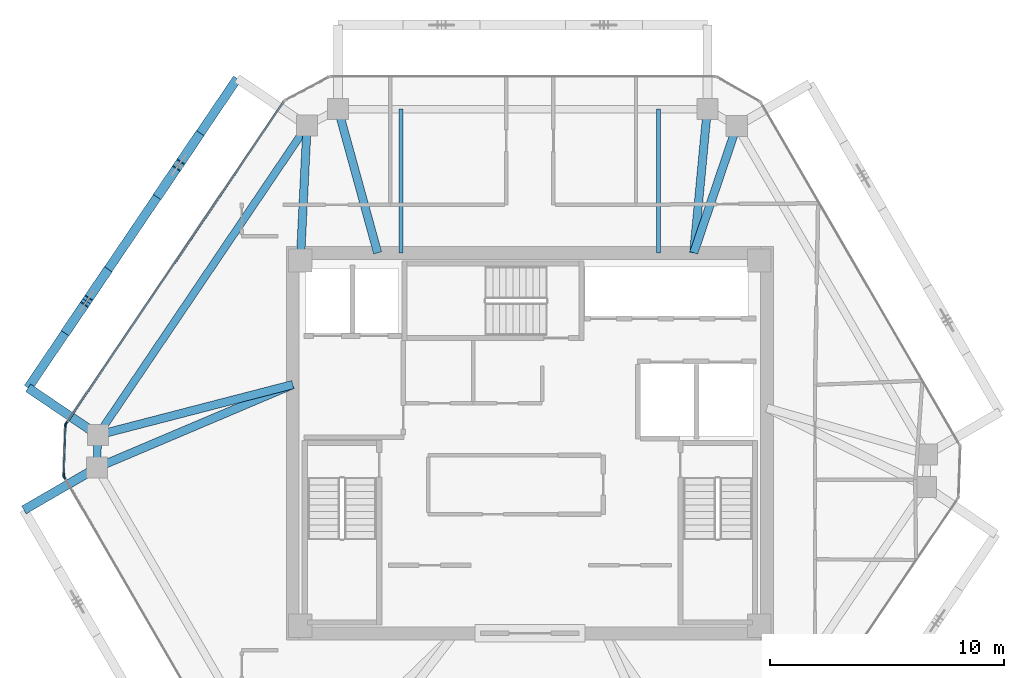
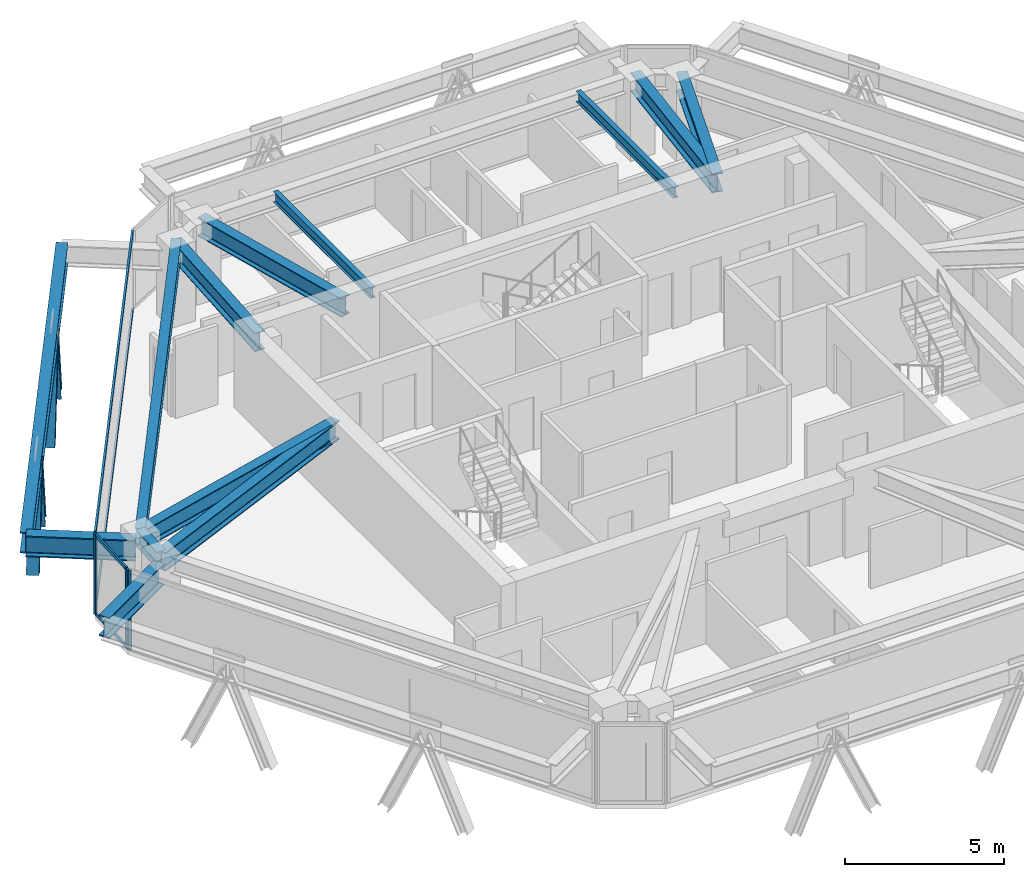
# One storey, part 4 of 13: 13 beams, 12 members, 3 elements without a shape of their own.
"""IFC4 building model written with IfcOpenShell, lengths in metres."""

from ifc_helpers import new_model, si_unit, direction, frame, origin, origin_2d, place, context, subcontext, project, spatial, rectangle, i_section, extrude, source, transform, mapped, material, layer, layer_set, material_profile, profile_set, type_object, type_shapes, element, aggregate, save


model = new_model("IFC4")

# Units and contexts
model_context = context("Model", 3, precision=1e-05, world=origin(), true_north=direction((0.0, 1.0)))
body_context = subcontext(model_context, "Body", "Model", "MODEL_VIEW")
ifc_project = project(units=[si_unit("LENGTHUNIT", "METRE"), si_unit("AREAUNIT", "SQUARE_METRE"), si_unit("VOLUMEUNIT", "CUBIC_METRE"), si_unit("PLANEANGLEUNIT", "RADIAN"), si_unit("MASSUNIT", "GRAM", prefix="KILO")], contexts=[model_context])

# Site, building, storey
site_placement = place(None, origin())
site = spatial("IfcSite", under=ifc_project, at=site_placement, CompositionType="ELEMENT")
building_placement = place(site_placement, origin())
building = spatial("IfcBuilding", under=site, at=building_placement, Name="Durnholm Broadcast Tower", CompositionType="ELEMENT")
storey_placement = place(building_placement, frame((0.0, 0.0, 228.199951171875)))
storey = spatial("IfcBuildingStorey", under=building, at=storey_placement, Name="L63", CompositionType="ELEMENT", Elevation=228.199951171875)

# Beams
ifc_material_1 = material(Name="Steel ASTM A992 Grade 50", Category="steel")
ifc_material_profile_1 = material_profile(ifc_material_1, i_section(OverallWidth=0.385009765625, OverallDepth=0.802978515625, WebThickness=0.023681640625, FlangeThickness=0.0419921875, FilletRadius=0.032958984375, at=origin_2d()), Name="W30X261")
ifc_profile_set_1 = profile_set([ifc_material_profile_1], Name="Steel ASTM A992 Grade 50")
beam_type_1 = type_object("IfcBeamType", Name="BM-EXO-TIE", PredefinedType="USERDEFINED", material=ifc_profile_set_1)
shared_shape_1 = source(origin(), body_context, "Body", "SweptSolid", [
    extrude(i_section(OverallWidth=0.385009765625, OverallDepth=0.802978515625, WebThickness=0.023681640625, FlangeThickness=0.0419921875, FilletRadius=0.032958984375, at=origin_2d()), origin(), (0.0, 0.0, 1.0), 3.4560546875),
])
for number, where, z_axis, x_axis, name in (
    (1, (-18.565673828125, 0.426513671875, 2.30859375), (-0.828413564093, 0.56011692246, 0.0), (-0.56011692246, -0.828413564093, 0.0), "L63 exoskeleton stand-off tie bracket F5.2"),
    (2, (-18.618896484375, -1.1201171875, 2.30859375), (-0.864876013532, -0.501985538852, 0.0), (0.501985538852, -0.864876013532, 0.0), "L63 exoskeleton stand-off tie bracket F6.1"),
):
    element("IfcBeam", number, at=place(storey_placement, frame(where, z_axis=z_axis, x_axis=x_axis)), inside=storey, type_object=beam_type_1, Name=name, ObjectType="GIRDER", PredefinedType="USERDEFINED", context=body_context, shape_type="MappedRepresentation", body=[
        mapped(shared_shape_1, transform((0.0, 0.0, 0.0), x_axis=(1.0, 0.0, 0.0), y_axis=(0.0, 1.0, 0.0), z_axis=(0.0, 0.0, 1.0), scale=1.0)),
    ])
ifc_material_profile_2 = material_profile(ifc_material_1, i_section(OverallWidth=0.3251953125, OverallDepth=0.6162109375, WebThickness=0.013916015625, FlangeThickness=0.021484375, FilletRadius=0.02783203125, at=origin_2d()), Name="W24X117")
ifc_profile_set_2 = profile_set([ifc_material_profile_2], Name="Steel ASTM A992 Grade 50")
beam_type_2 = type_object("IfcBeamType", Name="STL-SP-W24X117", PredefinedType="SPANDREL", material=ifc_profile_set_2)
shared_shape_2 = source(origin(), body_context, "Body", "SweptSolid", [
    extrude(i_section(OverallWidth=0.3251953125, OverallDepth=0.6162109375, WebThickness=0.013916015625, FlangeThickness=0.021484375, FilletRadius=0.02783203125, at=origin_2d()), origin(), (0.0, 0.0, 1.0), 1.39453125),
])
beam_1_placement = place(storey_placement, frame((-18.494384765625, -1.0478515625, 2.737060546875), z_axis=(0.034486393061, 0.999405167434, 0.0), x_axis=(-0.999405167434, 0.034486393061, 0.0)))
element("IfcBeam", 3, at=beam_1_placement, inside=storey, type_object=beam_type_2, Name="L63 perimeter spandrel girder 02", PredefinedType="SPANDREL", context=body_context, shape_type="MappedRepresentation", body=[
    mapped(shared_shape_2, transform((0.0, 0.0, 0.0), x_axis=(1.0, 0.0, 0.0), y_axis=(0.0, 1.0, 0.0), z_axis=(0.0, 0.0, 1.0), scale=1.0)),
])
shared_shape_3 = source(origin(), body_context, "Body", "SweptSolid", [
    extrude(i_section(OverallWidth=0.3251953125, OverallDepth=0.6162109375, WebThickness=0.013916015625, FlangeThickness=0.021484375, FilletRadius=0.02783203125, at=origin_2d()), origin(), (0.0, 0.0, 1.0), 15.947265625),
])
type_shapes(beam_type_2, [shared_shape_2, shared_shape_3])
beam_2_placement = place(storey_placement, frame((-18.4462890625, 0.345947265625, 2.737060546875), z_axis=(0.560062212489, 0.828450552623, 0.0), x_axis=(-0.828450552623, 0.560062212489, 0.0)))
element("IfcBeam", 4, at=beam_2_placement, inside=storey, type_object=beam_type_2, Name="L63 perimeter spandrel girder 03", PredefinedType="SPANDREL", context=body_context, shape_type="MappedRepresentation", body=[
    mapped(shared_shape_3, transform((0.0, 0.0, 0.0), x_axis=(1.0, 0.0, 0.0), y_axis=(0.0, 1.0, 0.0), z_axis=(0.0, 0.0, 1.0), scale=1.0)),
])
ifc_material_profile_3 = material_profile(ifc_material_1, i_section(OverallWidth=0.3564453125, OverallDepth=0.713623046875, WebThickness=0.01904296875, FlangeThickness=0.033935546875, FilletRadius=0.030517578125, at=origin_2d()), Name="W27X194")
ifc_profile_set_3 = profile_set([ifc_material_profile_3], Name="Steel ASTM A992 Grade 50")
beam_type_3 = type_object("IfcBeamType", Name="STL-GR-W27X194", PredefinedType="USERDEFINED", material=ifc_profile_set_3)
shared_shape_4 = source(origin(), body_context, "Body", "SweptSolid", [
    extrude(i_section(OverallWidth=0.3564453125, OverallDepth=0.713623046875, WebThickness=0.01904296875, FlangeThickness=0.033935546875, FilletRadius=0.030517578125, at=origin_2d()), origin(), (0.0, 0.0, 1.0), 5.764404296875),
])
beam_3_placement = place(storey_placement, frame((-9.800048828125, 7.800048828125, 2.688232421875), z_axis=(0.049468662109, 0.99877567625, 0.0), x_axis=(-0.99877567625, 0.049468662109, 0.0)))
element("IfcBeam", 5, at=beam_3_placement, inside=storey, type_object=beam_type_3, Name="L63 radial primary floor girder 04", ObjectType="GIRDER", PredefinedType="USERDEFINED", context=body_context, shape_type="MappedRepresentation", body=[
    mapped(shared_shape_4, transform((0.0, 0.0, 0.0), x_axis=(1.0, 0.0, 0.0), y_axis=(0.0, 1.0, 0.0), z_axis=(0.0, 0.0, 1.0), scale=1.0)),
])
shared_shape_5 = source(origin(), body_context, "Body", "SweptSolid", [
    extrude(i_section(OverallWidth=0.385009765625, OverallDepth=0.802978515625, WebThickness=0.023681640625, FlangeThickness=0.0419921875, FilletRadius=0.032958984375, at=origin_2d()), origin(), (0.0, 0.0, 1.0), 15.947021484375),
])
type_shapes(beam_type_1, [shared_shape_1, shared_shape_5])
beam_4_placement = place(storey_placement, frame((-12.497314453125, 15.573486328125, 2.30859375), z_axis=(-0.560069315853, -0.828445750451, 0.0), x_axis=(0.828445750451, -0.560069315853, 0.0)))
element("IfcBeam", 6, at=beam_4_placement, inside=storey, type_object=beam_type_1, Name="L63 exoskeleton collector spandrel F5", PredefinedType="SPANDREL", context=body_context, shape_type="MappedRepresentation", body=[
    mapped(shared_shape_5, transform((0.0, 0.0, 0.0), x_axis=(1.0, 0.0, 0.0), y_axis=(0.0, 1.0, 0.0), z_axis=(0.0, 0.0, 1.0), scale=1.0)),
])
shared_shape_6 = source(origin(), body_context, "Body", "SweptSolid", [
    extrude(i_section(OverallWidth=0.3564453125, OverallDepth=0.713623046875, WebThickness=0.01904296875, FlangeThickness=0.033935546875, FilletRadius=0.030517578125, at=origin_2d()), origin(), (0.0, 0.0, 1.0), 9.09033203125),
])
beam_5_placement = place(storey_placement, frame((-10.125, 2.5, 2.688232421875), z_axis=(-0.920692350722, -0.390289117607, 0.0), x_axis=(0.390289117607, -0.920692350722, 0.0)))
element("IfcBeam", 7, at=beam_5_placement, inside=storey, type_object=beam_type_3, Name="L63 radial primary floor girder 02", ObjectType="GIRDER", PredefinedType="USERDEFINED", context=body_context, shape_type="MappedRepresentation", body=[
    mapped(shared_shape_6, transform((0.0, 0.0, 0.0), x_axis=(1.0, 0.0, 0.0), y_axis=(0.0, 1.0, 0.0), z_axis=(0.0, 0.0, 1.0), scale=1.0)),
])
shared_shape_7 = source(origin(), body_context, "Body", "SweptSolid", [
    extrude(i_section(OverallWidth=0.3564453125, OverallDepth=0.713623046875, WebThickness=0.01904296875, FlangeThickness=0.033935546875, FilletRadius=0.030517578125, at=origin_2d()), origin(), (0.0, 0.0, 1.0), 8.595458984375),
])
beam_6_placement = place(storey_placement, frame((-10.125, 2.5, 2.688232421875), z_axis=(-0.968090619149, -0.250600385306, 0.0), x_axis=(0.250600385306, -0.968090619149, 0.0)))
element("IfcBeam", 8, at=beam_6_placement, inside=storey, type_object=beam_type_3, Name="L63 radial primary floor girder 03", ObjectType="GIRDER", PredefinedType="USERDEFINED", context=body_context, shape_type="MappedRepresentation", body=[
    mapped(shared_shape_7, transform((0.0, 0.0, 0.0), x_axis=(1.0, 0.0, 0.0), y_axis=(0.0, 1.0, 0.0), z_axis=(0.0, 0.0, 1.0), scale=1.0)),
])
shared_shape_8 = source(origin(), body_context, "Body", "SweptSolid", [
    extrude(i_section(OverallWidth=0.3564453125, OverallDepth=0.713623046875, WebThickness=0.01904296875, FlangeThickness=0.033935546875, FilletRadius=0.030517578125, at=origin_2d()), origin(), (0.0, 0.0, 1.0), 6.36474609375),
])
beam_7_placement = place(storey_placement, frame((-6.5, 8.125, 2.688232421875), z_axis=(-0.265168072834, 0.96420220553, 0.0), x_axis=(-0.96420220553, -0.265168072834, 0.0)))
element("IfcBeam", 9, at=beam_7_placement, inside=storey, type_object=beam_type_3, Name="L63 radial primary floor girder 05", ObjectType="GIRDER", PredefinedType="USERDEFINED", context=body_context, shape_type="MappedRepresentation", body=[
    mapped(shared_shape_8, transform((0.0, 0.0, 0.0), x_axis=(1.0, 0.0, 0.0), y_axis=(0.0, 1.0, 0.0), z_axis=(0.0, 0.0, 1.0), scale=1.0)),
])
shared_shape_9 = source(origin(), body_context, "Body", "SweptSolid", [
    extrude(i_section(OverallWidth=0.3564453125, OverallDepth=0.713623046875, WebThickness=0.01904296875, FlangeThickness=0.033935546875, FilletRadius=0.030517578125, at=origin_2d()), origin(), (0.0, 0.0, 1.0), 6.164306640625),
])
beam_8_placement = place(storey_placement, frame((7.0, 8.125, 2.688232421875), z_axis=(0.094024068139, 0.995569924521, 0.0), x_axis=(-0.995569924521, 0.094024068139, 0.0)))
element("IfcBeam", 10, at=beam_8_placement, inside=storey, type_object=beam_type_3, Name="L63 radial primary floor girder 06", ObjectType="GIRDER", PredefinedType="USERDEFINED", context=body_context, shape_type="MappedRepresentation", body=[
    mapped(shared_shape_9, transform((0.0, 0.0, 0.0), x_axis=(1.0, 0.0, 0.0), y_axis=(0.0, 1.0, 0.0), z_axis=(0.0, 0.0, 1.0), scale=1.0)),
])
shared_shape_10 = source(origin(), body_context, "Body", "SweptSolid", [
    extrude(i_section(OverallWidth=0.3564453125, OverallDepth=0.713623046875, WebThickness=0.01904296875, FlangeThickness=0.033935546875, FilletRadius=0.030517578125, at=origin_2d()), origin(), (0.0, 0.0, 1.0), 5.716064453125),
])
type_shapes(beam_type_3, [shared_shape_4, shared_shape_6, shared_shape_7, shared_shape_8, shared_shape_9, shared_shape_10])
beam_9_placement = place(storey_placement, frame((7.0, 8.125, 2.688232421875), z_axis=(0.321450919754, 0.946926241156, 0.0), x_axis=(-0.946926241156, 0.321450919754, 0.0)))
element("IfcBeam", 11, at=beam_9_placement, inside=storey, type_object=beam_type_3, Name="L63 radial primary floor girder 07", ObjectType="GIRDER", PredefinedType="USERDEFINED", context=body_context, shape_type="MappedRepresentation", body=[
    mapped(shared_shape_10, transform((0.0, 0.0, 0.0), x_axis=(1.0, 0.0, 0.0), y_axis=(0.0, 1.0, 0.0), z_axis=(0.0, 0.0, 1.0), scale=1.0)),
])
ifc_material_profile_4 = material_profile(ifc_material_1, i_section(OverallWidth=0.177734375, OverallDepth=0.40673828125, WebThickness=0.0078125, FlangeThickness=0.0126953125, FilletRadius=0.01904296875, at=origin_2d()), Name="W16X40")
ifc_profile_set_4 = profile_set([ifc_material_profile_4], Name="Steel ASTM A992 Grade 50")
beam_type_4 = type_object("IfcBeamType", Name="STL-BJ-W16X40", PredefinedType="JOIST", material=ifc_profile_set_4)
shared_shape_11 = source(origin(), body_context, "Body", "SweptSolid", [
    extrude(i_section(OverallWidth=0.177734375, OverallDepth=0.40673828125, WebThickness=0.0078125, FlangeThickness=0.0126953125, FilletRadius=0.01904296875, at=origin_2d()), origin(), (0.0, 0.0, 1.0), 6.136962890625),
])
type_shapes(beam_type_4, [shared_shape_11])
for number, where, z_axis, x_axis, name in (
    (12, (-5.5, 8.125, 2.841796875), (0.0, 1.0, 0.0), (-1.0, 0.0, 0.0), "L63 secondary floor joist 3.2"),
    (13, (5.5, 8.125, 2.841796875), (0.0, 1.0, 0.0), (-1.0, 0.0, 0.0), "L63 secondary floor joist 4.2"),
):
    element("IfcBeam", number, at=place(storey_placement, frame(where, z_axis=z_axis, x_axis=x_axis)), inside=storey, type_object=beam_type_4, Name=name, PredefinedType="JOIST", context=body_context, shape_type="MappedRepresentation", body=[
        mapped(shared_shape_11, transform((0.0, 0.0, 0.0), x_axis=(1.0, 0.0, 0.0), y_axis=(0.0, 1.0, 0.0), z_axis=(0.0, 0.0, 1.0), scale=1.0)),
    ])

# Members
ifc_material_2 = material(Name="Steel ASTM A913 Grade 65", Category="steel")
ifc_material_profile_5 = material_profile(ifc_material_2, i_section(OverallWidth=0.40625, OverallDepth=0.416015625, WebThickness=0.02978515625, FlangeThickness=0.048095703125, FilletRadius=0.030517578125, at=origin_2d()), Name="W14X257")
ifc_profile_set_5 = profile_set([ifc_material_profile_5], Name="Steel ASTM A913 Grade 65")
member_type_1 = type_object("IfcMemberType", Name="STL-DG-W14X257", PredefinedType="BRACE", material=ifc_profile_set_5)
shared_shape_12 = source(origin(), body_context, "Body", "SweptSolid", [
    extrude(i_section(OverallWidth=0.40625, OverallDepth=0.416015625, WebThickness=0.02978515625, FlangeThickness=0.048095703125, FilletRadius=0.030517578125, at=origin_2d()), origin(), (0.0, 0.0, 1.0), 3.60791015625),
])
type_shapes(member_type_1, [shared_shape_12])
for number, where, z_axis, x_axis, name in (
    (14, (-14.181396484375, 13.08251953125, -0.991455078125), (-0.226349134478, -0.334888450383, 0.914667040579), (0.828505003222, -0.559981660089, 0.0), "L63 stand-off diagrid brace F5.D1.1"),
    (15, (-15.814697265625, 10.666259765625, -0.991455078125), (0.226354263477, 0.334828369412, 0.914687766641), (-0.828452496411, 0.560059337206, 0.0), "L63 stand-off diagrid brace F5.D1.2"),
    (16, (-18.111328125, 7.269287109375, -0.991455078125), (-0.226354263477, -0.334828369412, 0.914687766641), (0.828452496411, -0.560059337206, 0.0), "L63 stand-off diagrid brace F5.D2.1"),
    (17, (-19.74462890625, 4.853271484375, -0.991455078125), (0.226354263477, 0.334828369412, 0.914687766641), (-0.828452496411, 0.560059337206, 0.0), "L63 stand-off diagrid brace F5.D2.2"),
):
    element("IfcMember", number, at=place(storey_placement, frame(where, z_axis=z_axis, x_axis=x_axis)), inside=storey, type_object=member_type_1, Name=name, PredefinedType="BRACE", context=body_context, shape_type="MappedRepresentation", body=[
        mapped(shared_shape_12, transform((0.0, 0.0, 0.0), x_axis=(1.0, 0.0, 0.0), y_axis=(0.0, 1.0, 0.0), z_axis=(0.0, 0.0, 1.0), scale=1.0)),
    ])

# Curtain wall, members
ifc_material_3 = material(Name="Aluminium and Solar Control IGU", Category="aluminium")
ifc_layer_1 = layer(ifc_material_3, 0.1650390625)
ifc_layer_set_1 = layer_set([ifc_layer_1], Name="Aluminium and Solar Control IGU")
curtain_wall_type_1 = type_object("IfcCurtainWallType", Name="CW-SYS-5", PredefinedType="NOTDEFINED", material=ifc_layer_set_1)
curtain_wall_1_placement = place(storey_placement, origin())
curtain_wall_1 = element("IfcCurtainWall", 18, at=curtain_wall_1_placement, inside=storey, type_object=curtain_wall_type_1, Name="L63 curtain wall CW-CORNER CW-L63-CRN-01", PredefinedType="NOTDEFINED")
ifc_material_4 = material(Name="Aluminium 6063-T6", Category="aluminium")
ifc_material_profile_6 = material_profile(ifc_material_4, rectangle(XDim=0.06494140625, YDim=0.1298828125, at=origin_2d()), Name="CWT65X130")
ifc_profile_set_6 = profile_set([ifc_material_profile_6], Name="Aluminium 6063-T6")
member_type_2 = type_object("IfcMemberType", Name="CW-SYS-5-TRN", PredefinedType="USERDEFINED", material=ifc_profile_set_6)
shared_shape_13 = source(origin(), body_context, "Body", "SweptSolid", [
    extrude(rectangle(XDim=0.06494140625, YDim=0.1298828125, at=origin_2d()), origin(), (0.0, 0.0, 1.0), 2.070068359375),
])
type_shapes(member_type_2, [shared_shape_13])
member_1_placement = place(storey_placement, frame((-19.905029296875, -1.33740234375, 0.032470703125), z_axis=(0.034320104965, 0.999410891673, 0.0), x_axis=(-0.999410891673, 0.034320104965, 0.0)))
member_1 = element("IfcMember", 19, at=member_1_placement, type_object=member_type_2, Name="CW-CORNER transom 1.1", ObjectType="TRANSOM", PredefinedType="USERDEFINED", context=body_context, shape_type="MappedRepresentation", body=[
    mapped(shared_shape_13, transform((0.0, 0.0, 0.0), x_axis=(1.0, 0.0, 0.0), y_axis=(0.0, 1.0, 0.0), z_axis=(0.0, 0.0, 1.0), scale=1.0)),
])
member_2_placement = place(storey_placement, frame((-19.905029296875, -1.33740234375, 3.027587890625), z_axis=(0.034320104965, 0.999410891673, 0.0), x_axis=(-0.999410891673, 0.034320104965, 0.0)))
member_2 = element("IfcMember", 20, at=member_2_placement, type_object=member_type_2, Name="CW-CORNER transom 1.2", ObjectType="TRANSOM", PredefinedType="USERDEFINED", context=body_context, shape_type="MappedRepresentation", body=[
    mapped(shared_shape_13, transform((0.0, 0.0, 0.0), x_axis=(1.0, 0.0, 0.0), y_axis=(0.0, 1.0, 0.0), z_axis=(0.0, 0.0, 1.0), scale=1.0)),
])
ifc_material_profile_7 = material_profile(ifc_material_4, rectangle(XDim=0.06494140625, YDim=0.1650390625, at=origin_2d()), Name="CWM65X165")
ifc_profile_set_7 = profile_set([ifc_material_profile_7], Name="Aluminium 6063-T6")
member_type_3 = type_object("IfcMemberType", Name="CW-SYS-5-MUL", PredefinedType="MULLION", material=ifc_profile_set_7)
shared_shape_14 = source(origin(), body_context, "Body", "SweptSolid", [
    extrude(rectangle(XDim=0.06494140625, YDim=0.1650390625, at=origin_2d()), origin(), (0.0, 0.0, 1.0), 3.06005859375),
])
type_shapes(member_type_3, [shared_shape_14])
member_3_placement = place(storey_placement, frame((-19.90625, -1.369873046875, 0.0), z_axis=(0.0, 0.0, 1.0), x_axis=(-0.999410955514, 0.034318245849, 0.0)))
member_3 = element("IfcMember", 21, at=member_3_placement, type_object=member_type_3, Name="CW-CORNER mullion 1", PredefinedType="MULLION", context=body_context, shape_type="MappedRepresentation", body=[
    mapped(shared_shape_14, transform((0.0, 0.0, 0.0), x_axis=(1.0, 0.0, 0.0), y_axis=(0.0, 1.0, 0.0), z_axis=(0.0, 0.0, 1.0), scale=1.0)),
])
member_4_placement = place(storey_placement, frame((-19.8330078125, 0.763916015625, 0.0), z_axis=(0.0, 0.0, 1.0), x_axis=(-0.999410955514, 0.034318245849, 0.0)))
member_4 = element("IfcMember", 22, at=member_4_placement, type_object=member_type_3, Name="CW-CORNER mullion 2", PredefinedType="MULLION", context=body_context, shape_type="MappedRepresentation", body=[
    mapped(shared_shape_14, transform((0.0, 0.0, 0.0), x_axis=(1.0, 0.0, 0.0), y_axis=(0.0, 1.0, 0.0), z_axis=(0.0, 0.0, 1.0), scale=1.0)),
])
aggregate(curtain_wall_1, [member_3, member_4, member_1, member_2])

# Curtain wall, member
ifc_layer_2 = layer(ifc_material_3, 0.18994140625)
ifc_layer_set_2 = layer_set([ifc_layer_2], Name="Aluminium and Solar Control IGU")
curtain_wall_type_2 = type_object("IfcCurtainWallType", Name="CW-SYS-4", PredefinedType="NOTDEFINED", material=ifc_layer_set_2)
curtain_wall_2_placement = place(storey_placement, origin())
curtain_wall_2 = element("IfcCurtainWall", 23, at=curtain_wall_2_placement, inside=storey, type_object=curtain_wall_type_2, Name="L63 curtain wall CW-Z34-VIS CW-L63-F02", PredefinedType="NOTDEFINED")
ifc_material_profile_8 = material_profile(ifc_material_4, rectangle(XDim=0.070068359375, YDim=0.18994140625, at=origin_2d()), Name="CWM70X190")
ifc_profile_set_8 = profile_set([ifc_material_profile_8], Name="Aluminium 6063-T6")
member_type_4 = type_object("IfcMemberType", Name="CW-SYS-4-MUL", PredefinedType="MULLION", material=ifc_profile_set_8)
shared_shape_15 = source(origin(), body_context, "Body", "SweptSolid", [
    extrude(rectangle(XDim=0.070068359375, YDim=0.18994140625, at=origin_2d()), origin(), (0.0, 0.0, 1.0), 3.06005859375),
])
type_shapes(member_type_4, [shared_shape_15])
member_5_placement = place(storey_placement, frame((-19.812255859375, 0.825439453125, 0.0), z_axis=(0.0, 0.0, 1.0), x_axis=(-0.828443431662, 0.560072745753, 0.0)))
member_5 = element("IfcMember", 24, at=member_5_placement, type_object=member_type_4, Name="CW-Z34-VIS mullion 1", PredefinedType="MULLION", context=body_context, shape_type="MappedRepresentation", body=[
    mapped(shared_shape_15, transform((0.0, 0.0, 0.0), x_axis=(1.0, 0.0, 0.0), y_axis=(0.0, 1.0, 0.0), z_axis=(0.0, 0.0, 1.0), scale=1.0)),
])

curtain_wall_3_placement = place(storey_placement, origin())
curtain_wall_3 = element("IfcCurtainWall", 25, at=curtain_wall_3_placement, inside=storey, type_object=curtain_wall_type_2, Name="L63 curtain wall CW-Z34-VIS CW-L63-F12", PredefinedType="NOTDEFINED")
member_6_placement = place(storey_placement, frame((-19.8896484375, -1.4326171875, 0.0), z_axis=(0.0, 0.0, 1.0), x_axis=(-0.864899883824, -0.50194441023, 0.0)))
member_6 = element("IfcMember", 26, at=member_6_placement, type_object=member_type_4, Name="CW-Z34-VIS mullion 2", PredefinedType="MULLION", context=body_context, shape_type="MappedRepresentation", body=[
    mapped(shared_shape_15, transform((0.0, 0.0, 0.0), x_axis=(1.0, 0.0, 0.0), y_axis=(0.0, 1.0, 0.0), z_axis=(0.0, 0.0, 1.0), scale=1.0)),
])
aggregate(curtain_wall_3, [member_6])

# Member
ifc_material_profile_9 = material_profile(ifc_material_4, rectangle(XDim=0.070068359375, YDim=0.14990234375, at=origin_2d()), Name="CWT70X150")
ifc_profile_set_9 = profile_set([ifc_material_profile_9], Name="Aluminium 6063-T6")
member_type_5 = type_object("IfcMemberType", Name="CW-SYS-4-TRN", PredefinedType="USERDEFINED", material=ifc_profile_set_9)
shared_shape_16 = source(origin(), body_context, "Body", "SweptSolid", [
    extrude(rectangle(XDim=0.070068359375, YDim=0.14990234375, at=origin_2d()), origin(), (0.0, 0.0, 1.0), 16.55859375),
])
type_shapes(member_type_5, [shared_shape_16])
member_7_placement = place(storey_placement, frame((-19.79248046875, 0.8544921875, 0.03515625), z_axis=(0.560071338091, 0.828444383317, 0.0), x_axis=(-0.828444383317, 0.560071338091, 0.0)))
member_7 = element("IfcMember", 27, at=member_7_placement, type_object=member_type_5, Name="CW-Z34-VIS transom 1.1", ObjectType="TRANSOM", PredefinedType="USERDEFINED", context=body_context, shape_type="MappedRepresentation", body=[
    mapped(shared_shape_16, transform((0.0, 0.0, 0.0), x_axis=(1.0, 0.0, 0.0), y_axis=(0.0, 1.0, 0.0), z_axis=(0.0, 0.0, 1.0), scale=1.0)),
])

member_8_placement = place(storey_placement, frame((-19.79248046875, 0.8544921875, 3.025146484375), z_axis=(0.560071338091, 0.828444383317, 0.0), x_axis=(-0.828444383317, 0.560071338091, 0.0)))
member_8 = element("IfcMember", 28, at=member_8_placement, type_object=member_type_5, Name="CW-Z34-VIS transom 1.2", ObjectType="TRANSOM", PredefinedType="USERDEFINED", context=body_context, shape_type="MappedRepresentation", body=[
    mapped(shared_shape_16, transform((0.0, 0.0, 0.0), x_axis=(1.0, 0.0, 0.0), y_axis=(0.0, 1.0, 0.0), z_axis=(0.0, 0.0, 1.0), scale=1.0)),
])

aggregate(curtain_wall_2, [member_5, member_7, member_8])

save(model, "model.ifc")
